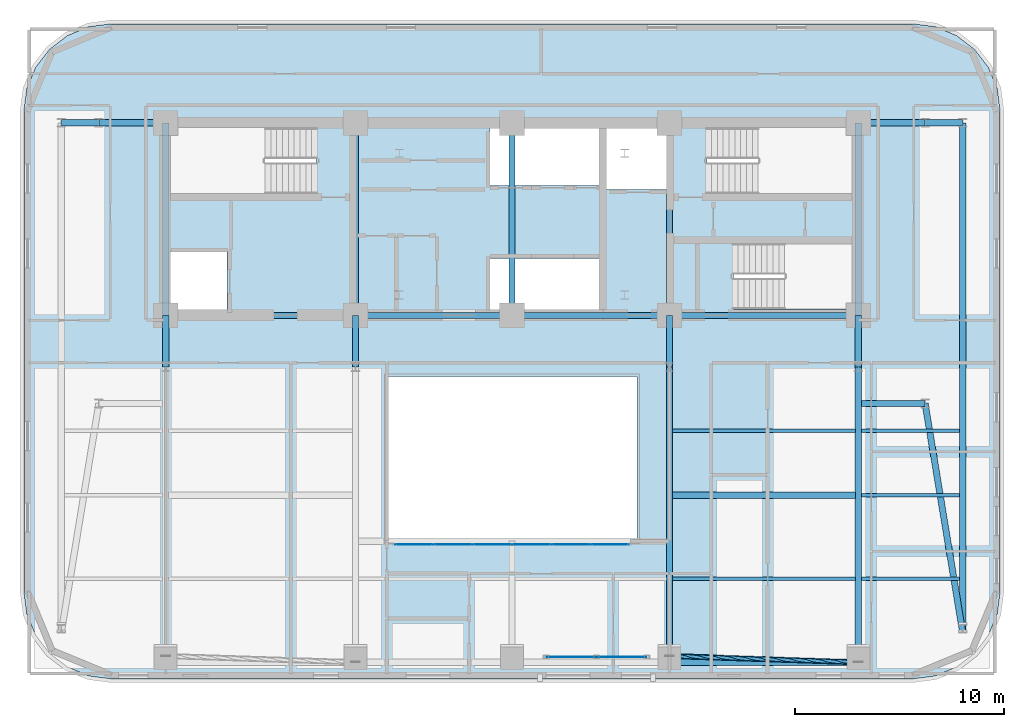
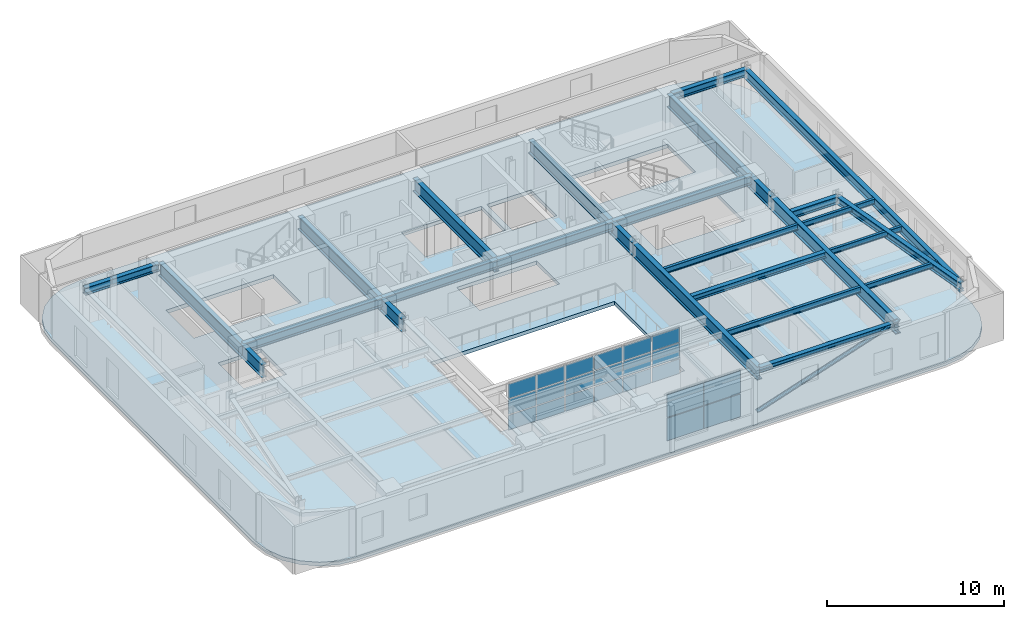
# One storey, part 3 of 13: 29 beams, 22 plates, 1 member, 1 slab, 2 elements without a shape of their own.
"""IFC4 building model written with IfcOpenShell, lengths in metres."""

import ifcopenshell
import ifcopenshell.guid

model = None  # the IFC model being written
_history = None  # IfcOwnerHistory: only IFC2X3 demands one
_inside = {}  # id of a spatial element -> (the spatial element, [elements in it])
_under = {}  # id of a project, library or spatial element -> (it, [spatial elements below it])
_declared = {}  # id of a project -> (the project, [libraries it declares])
_typed = {}  # id of a type object -> (the type object, [elements of that type])
_made_of = {}  # id of a material, layer set ... -> (it, [elements and type objects made of it])


def new_model(schema):
    """Start an empty IFC model of exactly this schema.

    Asked for "IFC4X3", IfcOpenShell would pick the latest addendum, in which some entities
    have other attributes; the version numbers below select the first issue.
    IFC2X3 requires an IfcOwnerHistory on every rooted entity: one is made here for all.
    """
    global model, _history
    if schema == "IFC4X3":
        model = ifcopenshell.file(schema_version=(4, 3, 0, 0))
    else:
        model = ifcopenshell.file(schema=schema)
    _inside.clear()
    _under.clear()
    _declared.clear()
    _typed.clear()
    _made_of.clear()
    _history = None
    if model.schema == "IFC2X3":
        org = make("IfcOrganization", Name="unknown")
        user = make(
            "IfcPersonAndOrganization",
            ThePerson=make("IfcPerson", FamilyName="unknown"),
            TheOrganization=org,
        )
        app = make(
            "IfcApplication",
            ApplicationDeveloper=org,
            Version="unknown",
            ApplicationFullName="unknown",
            ApplicationIdentifier="unknown",
        )
        _history = make(
            "IfcOwnerHistory",
            OwningUser=user,
            OwningApplication=app,
            ChangeAction="ADDED",
            CreationDate=0,
        )
    return model


def make(cls, **values):
    """One entity of the class cls with the attributes given. An attribute that is None is left unset."""
    return model.create_entity(
        cls, **{name: value for name, value in values.items() if value is not None}
    )


def rooted(cls, **values):
    """An entity with a GlobalId (a new one), such as an element, a storey or a relation."""
    return make(cls, GlobalId=ifcopenshell.guid.new(), OwnerHistory=_history, **values)


def si_unit(unit_type, name, prefix=None):
    """IfcSIUnit, for example si_unit("LENGTHUNIT", "METRE", prefix="MILLI")."""
    return make("IfcSIUnit", UnitType=unit_type, Prefix=prefix, Name=name)


def assignment(units):
    """IfcUnitAssignment: the units of a project."""
    return None if units is None else make("IfcUnitAssignment", Units=units)


def point(xyz):
    """IfcCartesianPoint."""
    return None if xyz is None else make("IfcCartesianPoint", Coordinates=xyz)


def direction(xyz):
    """IfcDirection."""
    return None if xyz is None else make("IfcDirection", DirectionRatios=xyz)


def frame(location, z_axis=None, x_axis=None):
    """IfcAxis2Placement3D, a coordinate frame: its origin and axes. An axis left out is left unset."""
    return make(
        "IfcAxis2Placement3D",
        Location=point(location),
        Axis=direction(z_axis),
        RefDirection=direction(x_axis),
    )


def frame_2d(location, x_axis=None):
    """IfcAxis2Placement2D, a coordinate frame in the plane: its origin and x axis."""
    return make(
        "IfcAxis2Placement2D", Location=point(location), RefDirection=direction(x_axis)
    )


def origin():
    """The frame at (0, 0, 0) with its axes left unset."""
    return frame((0.0, 0.0, 0.0))


def origin_2d():
    """The frame at (0, 0) in the plane with its x axis left unset."""
    return frame_2d((0.0, 0.0))


def place(relative_to, where):
    """IfcLocalPlacement: puts the frame where relative to a parent placement (None: the world)."""
    return make(
        "IfcLocalPlacement", PlacementRelTo=relative_to, RelativePlacement=where
    )


def context(
    kind, dimensions, precision=None, world=None, true_north=None, identifier=None
):
    """IfcGeometricRepresentationContext, for example the 3D "Model" context."""
    return make(
        "IfcGeometricRepresentationContext",
        ContextIdentifier=identifier,
        ContextType=kind,
        CoordinateSpaceDimension=dimensions,
        Precision=precision,
        WorldCoordinateSystem=world,
        TrueNorth=true_north,
    )


def subcontext(parent, identifier, kind, view, scale=None):
    """IfcGeometricRepresentationSubContext, for example "Body" below "Model"."""
    return make(
        "IfcGeometricRepresentationSubContext",
        ContextIdentifier=identifier,
        ContextType=kind,
        ParentContext=parent,
        TargetScale=scale,
        TargetView=view,
    )


def project(units=None, contexts=None):
    """IfcProject with its units and contexts."""
    return rooted(
        "IfcProject",
        Name="project",
        RepresentationContexts=contexts,
        UnitsInContext=assignment(units),
    )


def spatial(cls, under=None, at=None, **own):
    """A site, building, storey or space (cls), placed at a placement, below another one or the project."""
    s = rooted(cls, ObjectPlacement=at, **own)
    if under is not None:
        _under.setdefault(under.id(), (under, []))[1].append(s)
    return s


def polyline(points):
    """IfcPolyline through the points."""
    return make("IfcPolyline", Points=[point(p) for p in points])


def profile(cls, at=None, kind="AREA", **sizes):
    """A parametric profile (cls). Its sizes go by their IFC names, for example OverallWidth=200.0."""
    return make(cls, ProfileType=kind, Position=at, **sizes)


def rectangle(**sizes):
    """IfcRectangleProfileDef."""
    return profile("IfcRectangleProfileDef", **sizes)


def hollow_circle(**sizes):
    """IfcCircleHollowProfileDef."""
    return profile("IfcCircleHollowProfileDef", **sizes)


def i_section(**sizes):
    """IfcIShapeProfileDef."""
    return profile("IfcIShapeProfileDef", **sizes)


def outline(outer, holes=None, kind="AREA"):
    """IfcArbitraryClosedProfileDef: a profile drawn as a closed curve; with holes, ...WithVoids."""
    if holes is None:
        return make("IfcArbitraryClosedProfileDef", ProfileType=kind, OuterCurve=outer)
    return make(
        "IfcArbitraryProfileDefWithVoids",
        ProfileType=kind,
        OuterCurve=outer,
        InnerCurves=holes,
    )


def extrude(swept, where, along, depth):
    """IfcExtrudedAreaSolid: the profile swept, set in the frame where, extruded along a direction by depth."""
    return make(
        "IfcExtrudedAreaSolid",
        SweptArea=swept,
        Position=where,
        ExtrudedDirection=direction(along),
        Depth=depth,
    )


def shape(context_of_items, identifier, shape_type, items):
    """IfcShapeRepresentation: the items that make up one representation, for example the "Body"."""
    return make(
        "IfcShapeRepresentation",
        ContextOfItems=context_of_items,
        RepresentationIdentifier=identifier,
        RepresentationType=shape_type,
        Items=items,
    )


def material(Name=None, Category=None):
    """IfcMaterial."""
    return make("IfcMaterial", Name=Name, Category=Category)


def layer(
    of_material, thickness, ventilated=None, Name=None, Category=None, Priority=None
):
    """IfcMaterialLayer: one layer of a wall or slab, of a material (None: an air gap)."""
    return make(
        "IfcMaterialLayer",
        Material=of_material,
        LayerThickness=thickness,
        IsVentilated=ventilated,
        Name=Name,
        Category=Category,
        Priority=Priority,
    )


def layer_set(layers, Name=None):
    """IfcMaterialLayerSet."""
    return make("IfcMaterialLayerSet", MaterialLayers=layers, LayerSetName=Name)


def material_profile(
    of_material, cross_section, Name=None, Category=None, Priority=None
):
    """IfcMaterialProfile: a cross section and its material."""
    return make(
        "IfcMaterialProfile",
        Name=Name,
        Material=of_material,
        Profile=cross_section,
        Priority=Priority,
        Category=Category,
    )


def profile_set(profiles, Name=None, composite=None):
    """IfcMaterialProfileSet."""
    return make(
        "IfcMaterialProfileSet",
        Name=Name,
        MaterialProfiles=profiles,
        CompositeProfile=composite,
    )


def made_of(thing, what):
    """Note that an element or type object is made of a material, layer set ...; save() writes the relation."""
    if what is not None:
        _made_of.setdefault(what.id(), (what, []))[1].append(thing)
    return thing


def type_object(cls, material=None, **own):
    """A type object (cls), such as IfcWallType, which elements share."""
    return made_of(rooted(cls, **own), material)


def element(
    cls,
    number,
    at=None,
    inside=None,
    cuts=None,
    type_object=None,
    material=None,
    context=None,
    identifier="Body",
    shape_type=None,
    held_by="IfcProductDefinitionShape",
    body=None,
    shapes=None,
    **own,
):
    """One element of the class cls, such as IfcWall. Its Tag is "e" and its number.

    at: its placement. inside: the storey or other place that contains it. cuts: it is an
    opening in that element (IfcRelVoidsElement). A single representation is given by context,
    identifier, shape_type and body (its items); several are given by shapes. held_by: the class
    of the entity that holds the representations. save() writes the other relations.
    """
    e = rooted(cls, Tag="e%d" % number, ObjectPlacement=at, **own)
    if body is not None:
        shapes = [shape(context, identifier, shape_type, body)]
    if shapes is not None:
        e.Representation = make(held_by, Representations=shapes)
    if inside is not None:
        _inside.setdefault(inside.id(), (inside, []))[1].append(e)
    if cuts is not None:
        rooted(
            "IfcRelVoidsElement", RelatingBuildingElement=cuts, RelatedOpeningElement=e
        )
    if type_object is not None:
        _typed.setdefault(type_object.id(), (type_object, []))[1].append(e)
    return made_of(e, material)


def aggregate(whole, parts):
    """IfcRelAggregates: a whole, such as a stair, and the parts it consists of."""
    return rooted("IfcRelAggregates", RelatingObject=whole, RelatedObjects=parts)


def save(model, path):
    """Write the relations noted so far, then the file.

    IfcRelAggregates (storeys below a building ...), IfcRelContainedInSpatialStructure (elements
    in a storey), IfcRelDefinesByType, IfcRelAssociatesMaterial and IfcRelDeclares: one each for
    every whole, place, type object, material and project.
    """
    for whole, parts in _under.values():
        aggregate(whole, parts)
    for where, things in _inside.values():
        rooted(
            "IfcRelContainedInSpatialStructure",
            RelatedElements=things,
            RelatingStructure=where,
        )
    for kind, things in _typed.values():
        rooted("IfcRelDefinesByType", RelatedObjects=things, RelatingType=kind)
    for what, things in _made_of.values():
        rooted("IfcRelAssociatesMaterial", RelatedObjects=things, RelatingMaterial=what)
    for by, libraries in _declared.values():
        rooted("IfcRelDeclares", RelatingContext=by, RelatedDefinitions=libraries)
    model.write(path)


model = new_model("IFC4")

# Units and contexts
model_context = context("Model", 3, precision=1e-05, world=origin(), true_north=direction((0.0, 1.0)))
body_context = subcontext(model_context, "Body", "Model", "MODEL_VIEW")
ifc_project = project(units=[si_unit("LENGTHUNIT", "METRE"), si_unit("AREAUNIT", "SQUARE_METRE"), si_unit("VOLUMEUNIT", "CUBIC_METRE"), si_unit("PLANEANGLEUNIT", "RADIAN"), si_unit("MASSUNIT", "GRAM", prefix="KILO")], contexts=[model_context])

# Site, building, storey
site_placement = place(None, origin())
site = spatial("IfcSite", under=ifc_project, at=site_placement, CompositionType="ELEMENT")
building_placement = place(site_placement, origin())
building = spatial("IfcBuilding", under=site, at=building_placement, Name="Zarnavel Station Tower", CompositionType="ELEMENT")
storey_placement = place(building_placement, frame((0.0, 0.0, 162.550048828125)))
storey = spatial("IfcBuildingStorey", under=building, at=storey_placement, Name="L44", CompositionType="ELEMENT", Elevation=162.550048828125)

# Member
ifc_material_1 = material(Name="Steel S355J2", Category="steel")
ifc_material_profile_1 = material_profile(ifc_material_1, hollow_circle(Radius=0.122314453125, WallThickness=0.010009765625, at=origin_2d()), Name="CHS244.5x10")
ifc_profile_set_1 = profile_set([ifc_material_profile_1], Name="Steel S355J2")
member_type = type_object("IfcMemberType", Name="DB_EXT_CHS245", PredefinedType="BRACE", material=ifc_profile_set_1)
member_placement = place(storey_placement, frame((36.35009765625, 11.497802734375, 0.0), z_axis=(0.939370056938, -0.030942344867, 0.341506174795), x_axis=(0.032921607344, 0.999457936969, 0.0)))
element("IfcMember", 1, at=member_placement, inside=storey, type_object=member_type, Name="L44 Persian Exterior Diagonal Frame Brace 2", PredefinedType="BRACE", context=body_context, shape_type="SweptSolid", body=[
    extrude(hollow_circle(Radius=0.122314453125, WallThickness=0.010009765625, at=origin_2d()), origin(), (0.0, 0.0, 1.0), 9.6337890625),
])

# Beams
ifc_material_2 = material(Name="Steel S355J2", Category="steel")
ifc_material_profile_2 = material_profile(ifc_material_2, i_section(OverallWidth=0.300048828125, OverallDepth=0.360107421875, WebThickness=0.012451171875, FlangeThickness=0.0224609375, FilletRadius=0.027099609375, at=origin_2d()), Name="HEB360")
ifc_profile_set_2 = profile_set([ifc_material_profile_2], Name="Steel S355J2")
beam_type_1 = type_object("IfcBeamType", Name="EB_HEB360", PredefinedType="SPANDREL", material=ifc_profile_set_2)
beam_1_placement = place(storey_placement, frame((36.35009765625, 11.19970703125, 3.10986328125), z_axis=(1.0, 0.0, 0.0), x_axis=(0.0, 1.0, 0.0)))
element("IfcBeam", 2, at=beam_1_placement, inside=storey, type_object=beam_type_1, Name="L44 South Raked Spandrel 4", PredefinedType="SPANDREL", context=body_context, shape_type="SweptSolid", body=[
    extrude(i_section(OverallWidth=0.300048828125, OverallDepth=0.360107421875, WebThickness=0.012451171875, FlangeThickness=0.0224609375, FilletRadius=0.027099609375, at=origin_2d()), origin(), (0.0, 0.0, 1.0), 9.0498046875),
])
ifc_material_3 = material(Name="Steel S355J2", Category="steel")
ifc_material_profile_3 = material_profile(ifc_material_3, i_section(OverallWidth=0.300048828125, OverallDepth=0.389892578125, WebThickness=0.010986328125, FlangeThickness=0.01904296875, FilletRadius=0.027099609375, at=origin_2d()), Name="HEA400")
ifc_profile_set_3 = profile_set([ifc_material_profile_3], Name="Steel S355J2")
beam_type_2 = type_object("IfcBeamType", Name="FB_HEA400", PredefinedType="BEAM", material=ifc_profile_set_3)
beam_2_placement = place(storey_placement, frame((36.4951171875, 19.19970703125, 3.094970703125), z_axis=(1.0, 0.0, 0.0), x_axis=(0.0, 1.0, 0.0)))
element("IfcBeam", 3, at=beam_2_placement, inside=storey, type_object=beam_type_2, Name="L44 East Bay Beam 2", PredefinedType="BEAM", context=body_context, shape_type="SweptSolid", body=[
    extrude(i_section(OverallWidth=0.300048828125, OverallDepth=0.389892578125, WebThickness=0.010986328125, FlangeThickness=0.01904296875, FilletRadius=0.027099609375, at=origin_2d()), origin(), (0.0, 0.0, 1.0), 8.759765625),
])
ifc_material_4 = material(Name="Steel S355J2", Category="steel")
ifc_material_profile_4 = material_profile(ifc_material_4, i_section(OverallWidth=0.179931640625, OverallDepth=0.39990234375, WebThickness=0.008544921875, FlangeThickness=0.013427734375, FilletRadius=0.02099609375, at=origin_2d()), Name="IPE400")
ifc_profile_set_4 = profile_set([ifc_material_profile_4], Name="Steel S355J2")
beam_type_3 = type_object("IfcBeamType", Name="FB_IPE400", PredefinedType="BEAM", material=ifc_profile_set_4)
for number, where, z_axis, x_axis, name in (
    (4, (36.4951171875, 15.19970703125, 3.08984375), (1.0, 0.0, 0.0), (0.0, 1.0, 0.0), "L44 East Bay Beam 1"),
    (5, (36.4951171875, 22.2998046875, 3.08984375), (1.0, 0.0, 0.0), (0.0, 1.0, 0.0), "L44 East Bay Beam 3"),
):
    element("IfcBeam", number, at=place(storey_placement, frame(where, z_axis=z_axis, x_axis=x_axis)), inside=storey, type_object=beam_type_3, Name=name, PredefinedType="BEAM", context=body_context, shape_type="SweptSolid", body=[
        extrude(i_section(OverallWidth=0.179931640625, OverallDepth=0.39990234375, WebThickness=0.008544921875, FlangeThickness=0.013427734375, FilletRadius=0.02099609375, at=origin_2d()), origin(), (0.0, 0.0, 1.0), 8.759765625),
    ])
ifc_material_5 = material(Name="Steel S355J2", Category="steel")
ifc_material_profile_5 = material_profile(ifc_material_5, i_section(OverallWidth=0.300048828125, OverallDepth=0.5, WebThickness=0.014404296875, FlangeThickness=0.028076171875, FilletRadius=0.027099609375, at=origin_2d()), Name="HEB500")
ifc_profile_set_5 = profile_set([ifc_material_profile_5], Name="Steel S355J2")
beam_type_4 = type_object("IfcBeamType", Name="FG_HEB500", PredefinedType="USERDEFINED", material=ifc_profile_set_5)
beam_3_placement = place(storey_placement, frame((7.199951171875, 37.050048828125, 3.0400390625), z_axis=(1.0, 0.0, 0.0), x_axis=(0.0, 1.0, 0.0)))
element("IfcBeam", 6, at=beam_3_placement, inside=storey, type_object=beam_type_4, Name="L44 West Wing North Tie 1", ObjectType="GIRDER", PredefinedType="USERDEFINED", context=body_context, shape_type="SweptSolid", body=[
    extrude(i_section(OverallWidth=0.300048828125, OverallDepth=0.5, WebThickness=0.014404296875, FlangeThickness=0.028076171875, FilletRadius=0.027099609375, at=origin_2d()), origin(), (0.0, 0.0, 1.0), 1.800048828125),
])
beam_4_placement = place(storey_placement, frame((9.0, 37.050048828125, 3.0400390625), z_axis=(1.0, 0.0, 0.0), x_axis=(0.0, 1.0, 0.0)))
element("IfcBeam", 7, at=beam_4_placement, inside=storey, type_object=beam_type_4, Name="L44 West Wing North Tie 2", ObjectType="GIRDER", PredefinedType="USERDEFINED", context=body_context, shape_type="SweptSolid", body=[
    extrude(i_section(OverallWidth=0.300048828125, OverallDepth=0.5, WebThickness=0.014404296875, FlangeThickness=0.028076171875, FilletRadius=0.027099609375, at=origin_2d()), origin(), (0.0, 0.0, 1.0), 3.054931640625),
])
for number, where, z_axis, x_axis, name in (
    (8, (45.544921875, 23.60009765625, 3.0400390625), (1.0, 0.0, 0.0), (0.0, 1.0, 0.0), "L44 East Wing South Tie 1"),
    (9, (45.544921875, 37.050048828125, 3.0400390625), (1.0, 0.0, 0.0), (0.0, 1.0, 0.0), "L44 East Wing North Tie 1"),
):
    element("IfcBeam", number, at=place(storey_placement, frame(where, z_axis=z_axis, x_axis=x_axis)), inside=storey, type_object=beam_type_4, Name=name, ObjectType="GIRDER", PredefinedType="USERDEFINED", context=body_context, shape_type="SweptSolid", body=[
        extrude(i_section(OverallWidth=0.300048828125, OverallDepth=0.5, WebThickness=0.014404296875, FlangeThickness=0.028076171875, FilletRadius=0.027099609375, at=origin_2d()), origin(), (0.0, 0.0, 1.0), 3.05517578125),
    ])
beam_5_placement = place(storey_placement, frame((48.60009765625, 23.60009765625, 3.0400390625), z_axis=(0.161933529878, -0.986801667966, 0.0), x_axis=(0.986801667966, 0.161933529878, 0.0)))
element("IfcBeam", 10, at=beam_5_placement, inside=storey, type_object=beam_type_4, Name="L44 East Wing South Tie 2", ObjectType="GIRDER", PredefinedType="USERDEFINED", context=body_context, shape_type="SweptSolid", body=[
    extrude(i_section(OverallWidth=0.300048828125, OverallDepth=0.5, WebThickness=0.014404296875, FlangeThickness=0.028076171875, FilletRadius=0.027099609375, at=origin_2d()), origin(), (0.0, 0.0, 1.0), 11.114501953125),
])
beam_6_placement = place(storey_placement, frame((48.60009765625, 37.050048828125, 3.0400390625), z_axis=(1.0, 0.0, 0.0), x_axis=(0.0, 1.0, 0.0)))
element("IfcBeam", 11, at=beam_6_placement, inside=storey, type_object=beam_type_4, Name="L44 East Wing North Tie 2", ObjectType="GIRDER", PredefinedType="USERDEFINED", context=body_context, shape_type="SweptSolid", body=[
    extrude(i_section(OverallWidth=0.300048828125, OverallDepth=0.5, WebThickness=0.014404296875, FlangeThickness=0.028076171875, FilletRadius=0.027099609375, at=origin_2d()), origin(), (0.0, 0.0, 1.0), 1.7998046875),
])
ifc_material_6 = material(Name="Steel S355J2", Category="steel")
ifc_material_profile_6 = material_profile(ifc_material_6, i_section(OverallWidth=0.300048828125, OverallDepth=0.60009765625, WebThickness=0.015380859375, FlangeThickness=0.030029296875, FilletRadius=0.027099609375, at=origin_2d()), Name="HEB600")
ifc_profile_set_6 = profile_set([ifc_material_profile_6], Name="Steel S355J2")
beam_type_5 = type_object("IfcBeamType", Name="FG_HEB600", PredefinedType="USERDEFINED", material=ifc_profile_set_6)
beam_7_placement = place(storey_placement, frame((12.199951171875, 27.820068359375, 2.989990234375), z_axis=(1.0, 0.0, 0.0), x_axis=(0.0, 1.0, 0.0)))
element("IfcBeam", 12, at=beam_7_placement, inside=storey, type_object=beam_type_5, Name="L44 Core Front Coupling Beam 1", ObjectType="GIRDER", PredefinedType="USERDEFINED", context=body_context, shape_type="SweptSolid", body=[
    extrude(i_section(OverallWidth=0.300048828125, OverallDepth=0.60009765625, WebThickness=0.015380859375, FlangeThickness=0.030029296875, FilletRadius=0.027099609375, at=origin_2d()), origin(), (0.0, 0.0, 1.0), 9.10009765625),
])
beam_8_placement = place(storey_placement, frame((21.300048828125, 27.820068359375, 2.989990234375), z_axis=(1.0, 0.0, 0.0), x_axis=(0.0, 1.0, 0.0)))
element("IfcBeam", 13, at=beam_8_placement, inside=storey, type_object=beam_type_5, Name="L44 Core Front Coupling Beam 2", ObjectType="GIRDER", PredefinedType="USERDEFINED", context=body_context, shape_type="SweptSolid", body=[
    extrude(i_section(OverallWidth=0.300048828125, OverallDepth=0.60009765625, WebThickness=0.015380859375, FlangeThickness=0.030029296875, FilletRadius=0.027099609375, at=origin_2d()), origin(), (0.0, 0.0, 1.0), 7.5),
])
beam_9_placement = place(storey_placement, frame((28.800048828125, 27.820068359375, 2.989990234375), z_axis=(1.0, 0.0, 0.0), x_axis=(0.0, 1.0, 0.0)))
element("IfcBeam", 14, at=beam_9_placement, inside=storey, type_object=beam_type_5, Name="L44 Core Front Coupling Beam 3", ObjectType="GIRDER", PredefinedType="USERDEFINED", context=body_context, shape_type="SweptSolid", body=[
    extrude(i_section(OverallWidth=0.300048828125, OverallDepth=0.60009765625, WebThickness=0.015380859375, FlangeThickness=0.030029296875, FilletRadius=0.027099609375, at=origin_2d()), origin(), (0.0, 0.0, 1.0), 7.550048828125),
])
beam_10_placement = place(storey_placement, frame((36.35009765625, 27.820068359375, 2.989990234375), z_axis=(1.0, 0.0, 0.0), x_axis=(0.0, 1.0, 0.0)))
element("IfcBeam", 15, at=beam_10_placement, inside=storey, type_object=beam_type_5, Name="L44 Core Front Coupling Beam 4", ObjectType="GIRDER", PredefinedType="USERDEFINED", context=body_context, shape_type="SweptSolid", body=[
    extrude(i_section(OverallWidth=0.300048828125, OverallDepth=0.60009765625, WebThickness=0.015380859375, FlangeThickness=0.030029296875, FilletRadius=0.027099609375, at=origin_2d()), origin(), (0.0, 0.0, 1.0), 9.0498046875),
])
ifc_material_7 = material(Name="Steel S355J2", Category="steel")
ifc_material_profile_7 = material_profile(ifc_material_7, i_section(OverallWidth=0.300048828125, OverallDepth=0.64990234375, WebThickness=0.01611328125, FlangeThickness=0.031005859375, FilletRadius=0.027099609375, at=origin_2d()), Name="HEB650")
ifc_profile_set_7 = profile_set([ifc_material_profile_7], Name="Steel S355J2")
beam_type_6 = type_object("IfcBeamType", Name="FG_HEB650", PredefinedType="USERDEFINED", material=ifc_profile_set_7)
beam_11_placement = place(storey_placement, frame((50.39990234375, 12.63232421875, 2.96484375), z_axis=(0.0, 1.0, 0.0), x_axis=(-1.0, 0.0, 0.0)))
element("IfcBeam", 16, at=beam_11_placement, inside=storey, type_object=beam_type_6, Name="L44 Wing NS Girder 2", ObjectType="GIRDER", PredefinedType="USERDEFINED", context=body_context, shape_type="SweptSolid", body=[
    extrude(i_section(OverallWidth=0.300048828125, OverallDepth=0.64990234375, WebThickness=0.01611328125, FlangeThickness=0.031005859375, FilletRadius=0.027099609375, at=origin_2d()), origin(), (0.0, 0.0, 1.0), 24.417724609375),
])
ifc_material_8 = material(Name="Steel S355J2", Category="steel")
ifc_material_profile_8 = material_profile(ifc_material_8, i_section(OverallWidth=0.169921875, OverallDepth=0.360107421875, WebThickness=0.008056640625, FlangeThickness=0.0126953125, FilletRadius=0.01806640625, at=origin_2d()), Name="IPE360")
ifc_profile_set_8 = profile_set([ifc_material_profile_8], Name="Steel S355J2")
beam_type_7 = type_object("IfcBeamType", Name="FJ_IPE360", PredefinedType="JOIST", material=ifc_profile_set_8)
for number, where, z_axis, x_axis, name in (
    (17, (45.544921875, 15.19970703125, 3.10986328125), (1.0, 0.0, 0.0), (0.0, 1.0, 0.0), "L44 East Wing Joist 1"),
    (18, (45.544921875, 19.19970703125, 3.10986328125), (1.0, 0.0, 0.0), (0.0, 1.0, 0.0), "L44 East Wing Joist 2"),
    (19, (45.544921875, 22.2998046875, 3.10986328125), (1.0, 0.0, 0.0), (0.0, 1.0, 0.0), "L44 East Wing Joist 3"),
):
    element("IfcBeam", number, at=place(storey_placement, frame(where, z_axis=z_axis, x_axis=x_axis)), inside=storey, type_object=beam_type_7, Name=name, PredefinedType="JOIST", context=body_context, shape_type="SweptSolid", body=[
        extrude(i_section(OverallWidth=0.169921875, OverallDepth=0.360107421875, WebThickness=0.008056640625, FlangeThickness=0.0126953125, FilletRadius=0.01806640625, at=origin_2d()), origin(), (0.0, 0.0, 1.0), 4.7099609375),
    ])
ifc_material_9 = material(Name="Steel S460M", Category="steel")
ifc_material_profile_9 = material_profile(ifc_material_9, i_section(OverallWidth=0.302001953125, OverallDepth=0.909912109375, WebThickness=0.02099609375, FlangeThickness=0.0400390625, FilletRadius=0.030029296875, at=origin_2d()), Name="HEM900")
ifc_profile_set_9 = profile_set([ifc_material_profile_9], Name="Steel S460M")
beam_type_8 = type_object("IfcBeamType", Name="TG_HEM900", PredefinedType="USERDEFINED", material=ifc_profile_set_9)
for number, where, z_axis, x_axis, name in (
    (20, (12.199951171875, 27.820068359375, 2.8349609375), (0.0, 1.0, 0.0), (-1.0, 0.0, 0.0), "L44 Core Spine Coupling Girder 1"),
    (21, (21.300048828125, 27.820068359375, 2.8349609375), (0.0, 1.0, 0.0), (-1.0, 0.0, 0.0), "L44 Core Spine Coupling Girder 2"),
    (22, (28.800048828125, 27.820068359375, 2.8349609375), (0.0, 1.0, 0.0), (-1.0, 0.0, 0.0), "L44 Core Spine Coupling Girder 3"),
    (23, (36.35009765625, 27.820068359375, 2.8349609375), (0.0, 1.0, 0.0), (-1.0, 0.0, 0.0), "L44 Core Spine Coupling Girder 4"),
    (24, (45.39990234375, 27.820068359375, 2.8349609375), (0.0, 1.0, 0.0), (-1.0, 0.0, 0.0), "L44 Core Spine Coupling Girder 5"),
):
    element("IfcBeam", number, at=place(storey_placement, frame(where, z_axis=z_axis, x_axis=x_axis)), inside=storey, type_object=beam_type_8, Name=name, ObjectType="GIRDER", PredefinedType="USERDEFINED", context=body_context, shape_type="SweptSolid", body=[
        extrude(i_section(OverallWidth=0.302001953125, OverallDepth=0.909912109375, WebThickness=0.02099609375, FlangeThickness=0.0400390625, FilletRadius=0.030029296875, at=origin_2d()), origin(), (0.0, 0.0, 1.0), 9.22998046875),
    ])
for number, where, z_axis, x_axis, name in (
    (25, (12.199951171875, 25.35009765625, 2.8349609375), (0.0, 1.0, 0.0), (-1.0, 0.0, 0.0), "L44 Inner-Zone NS Girder 1"),
    (26, (21.300048828125, 25.35009765625, 2.8349609375), (0.0, 1.0, 0.0), (-1.0, 0.0, 0.0), "L44 Inner-Zone NS Girder 2"),
):
    element("IfcBeam", number, at=place(storey_placement, frame(where, z_axis=z_axis, x_axis=x_axis)), inside=storey, type_object=beam_type_8, Name=name, ObjectType="GIRDER", PredefinedType="USERDEFINED", context=body_context, shape_type="SweptSolid", body=[
        extrude(i_section(OverallWidth=0.302001953125, OverallDepth=0.909912109375, WebThickness=0.02099609375, FlangeThickness=0.0400390625, FilletRadius=0.030029296875, at=origin_2d()), origin(), (0.0, 0.0, 1.0), 2.469970703125),
    ])
beam_12_placement = place(storey_placement, frame((36.35009765625, 11.19970703125, 2.8349609375), z_axis=(0.0, 1.0, 0.0), x_axis=(-1.0, 0.0, 0.0)))
element("IfcBeam", 27, at=beam_12_placement, inside=storey, type_object=beam_type_8, Name="L44 South-Zone NS Girder 4", ObjectType="GIRDER", PredefinedType="USERDEFINED", context=body_context, shape_type="SweptSolid", body=[
    extrude(i_section(OverallWidth=0.302001953125, OverallDepth=0.909912109375, WebThickness=0.02099609375, FlangeThickness=0.0400390625, FilletRadius=0.030029296875, at=origin_2d()), origin(), (0.0, 0.0, 1.0), 14.150390625),
])
beam_13_placement = place(storey_placement, frame((36.35009765625, 25.35009765625, 2.8349609375), z_axis=(0.0, 1.0, 0.0), x_axis=(-1.0, 0.0, 0.0)))
element("IfcBeam", 28, at=beam_13_placement, inside=storey, type_object=beam_type_8, Name="L44 Inner-Zone NS Girder 4", ObjectType="GIRDER", PredefinedType="USERDEFINED", context=body_context, shape_type="SweptSolid", body=[
    extrude(i_section(OverallWidth=0.302001953125, OverallDepth=0.909912109375, WebThickness=0.02099609375, FlangeThickness=0.0400390625, FilletRadius=0.030029296875, at=origin_2d()), origin(), (0.0, 0.0, 1.0), 2.469970703125),
])
beam_14_placement = place(storey_placement, frame((45.39990234375, 11.19970703125, 2.8349609375), z_axis=(0.0, 1.0, 0.0), x_axis=(-1.0, 0.0, 0.0)))
element("IfcBeam", 29, at=beam_14_placement, inside=storey, type_object=beam_type_8, Name="L44 South-Zone NS Girder 5", ObjectType="GIRDER", PredefinedType="USERDEFINED", context=body_context, shape_type="SweptSolid", body=[
    extrude(i_section(OverallWidth=0.302001953125, OverallDepth=0.909912109375, WebThickness=0.02099609375, FlangeThickness=0.0400390625, FilletRadius=0.030029296875, at=origin_2d()), origin(), (0.0, 0.0, 1.0), 14.150390625),
])
beam_15_placement = place(storey_placement, frame((45.39990234375, 25.35009765625, 2.8349609375), z_axis=(0.0, 1.0, 0.0), x_axis=(-1.0, 0.0, 0.0)))
element("IfcBeam", 30, at=beam_15_placement, inside=storey, type_object=beam_type_8, Name="L44 Inner-Zone NS Girder 5", ObjectType="GIRDER", PredefinedType="USERDEFINED", context=body_context, shape_type="SweptSolid", body=[
    extrude(i_section(OverallWidth=0.302001953125, OverallDepth=0.909912109375, WebThickness=0.02099609375, FlangeThickness=0.0400390625, FilletRadius=0.030029296875, at=origin_2d()), origin(), (0.0, 0.0, 1.0), 2.469970703125),
])

# Curtain wall, plates
ifc_material_10 = material(Name="Aluminium Dark Anodised and Solar-Control Glass", Category="aluminium")
ifc_layer_1 = layer(ifc_material_10, 0.179931640625)
ifc_layer_set_1 = layer_set([ifc_layer_1], Name="CWS4")
curtain_wall_type_1 = type_object("IfcCurtainWallType", Name="CWS4", PredefinedType="NOTDEFINED", material=ifc_layer_set_1)
curtain_wall_1_placement = place(storey_placement, origin())
curtain_wall_1 = element("IfcCurtainWall", 31, at=curtain_wall_1_placement, inside=storey, type_object=curtain_wall_type_1, Name="L44 Curtain Wall CWS4-L44-AS", PredefinedType="NOTDEFINED")
ifc_material_11 = material(Name="Double Low-E Dark Solar-Control Glass", Category="glass")
ifc_layer_2 = layer(ifc_material_11, 0.031982421875)
ifc_layer_set_2 = layer_set([ifc_layer_2], Name="CWS4_PNL")
plate_type_1 = type_object("IfcPlateType", Name="CWS4_PNL", PredefinedType="CURTAIN_PANEL", material=ifc_layer_set_2)
plate_1_placement = place(storey_placement, frame((24.106689453125, 16.85009765625, 0.06005859375), z_axis=(0.0, 0.0, 1.0), x_axis=(1.0, 0.0, 0.0)))
plate_1 = element("IfcPlate", 32, at=plate_1_placement, type_object=plate_type_1, Name="CW4 panel 1.1", PredefinedType="CURTAIN_PANEL", context=body_context, shape_type="SweptSolid", body=[
    extrude(rectangle(XDim=1.793212890625, YDim=0.028076171875, at=origin_2d()), origin(), (0.0, 0.0, 1.0), 1.006591796875),
])
plate_2_placement = place(storey_placement, frame((24.106689453125, 16.85009765625, 1.126708984375), z_axis=(0.0, 0.0, 1.0), x_axis=(1.0, 0.0, 0.0)))
plate_2 = element("IfcPlate", 33, at=plate_2_placement, type_object=plate_type_1, Name="CW4 panel 1.2", PredefinedType="CURTAIN_PANEL", context=body_context, shape_type="SweptSolid", body=[
    extrude(rectangle(XDim=1.793212890625, YDim=0.028076171875, at=origin_2d()), origin(), (0.0, 0.0, 1.0), 1.03662109375),
])
plate_3_placement = place(storey_placement, frame((24.106689453125, 16.85009765625, 2.22314453125), z_axis=(0.0, 0.0, 1.0), x_axis=(1.0, 0.0, 0.0)))
plate_3 = element("IfcPlate", 34, at=plate_3_placement, type_object=plate_type_1, Name="CW4 panel 1.3", PredefinedType="CURTAIN_PANEL", context=body_context, shape_type="SweptSolid", body=[
    extrude(rectangle(XDim=1.793212890625, YDim=0.028076171875, at=origin_2d()), origin(), (0.0, 0.0, 1.0), 1.006591796875),
])
plate_4_placement = place(storey_placement, frame((25.97509765625, 16.85009765625, 0.06005859375), z_axis=(0.0, 0.0, 1.0), x_axis=(1.0, 0.0, 0.0)))
plate_4 = element("IfcPlate", 35, at=plate_4_placement, type_object=plate_type_1, Name="CW4 panel 2.1", PredefinedType="CURTAIN_PANEL", context=body_context, shape_type="SweptSolid", body=[
    extrude(rectangle(XDim=1.8232421875, YDim=0.028076171875, at=origin_2d()), origin(), (0.0, 0.0, 1.0), 1.006591796875),
])
plate_5_placement = place(storey_placement, frame((25.97509765625, 16.85009765625, 1.126708984375), z_axis=(0.0, 0.0, 1.0), x_axis=(1.0, 0.0, 0.0)))
plate_5 = element("IfcPlate", 36, at=plate_5_placement, type_object=plate_type_1, Name="CW4 panel 2.2", PredefinedType="CURTAIN_PANEL", context=body_context, shape_type="SweptSolid", body=[
    extrude(rectangle(XDim=1.8232421875, YDim=0.028076171875, at=origin_2d()), origin(), (0.0, 0.0, 1.0), 1.03662109375),
])
plate_6_placement = place(storey_placement, frame((25.97509765625, 16.85009765625, 2.22314453125), z_axis=(0.0, 0.0, 1.0), x_axis=(1.0, 0.0, 0.0)))
plate_6 = element("IfcPlate", 37, at=plate_6_placement, type_object=plate_type_1, Name="CW4 panel 2.3", PredefinedType="CURTAIN_PANEL", context=body_context, shape_type="SweptSolid", body=[
    extrude(rectangle(XDim=1.8232421875, YDim=0.028076171875, at=origin_2d()), origin(), (0.0, 0.0, 1.0), 1.006591796875),
])
plate_7_placement = place(storey_placement, frame((27.8583984375, 16.85009765625, 0.06005859375), z_axis=(0.0, 0.0, 1.0), x_axis=(1.0, 0.0, 0.0)))
plate_7 = element("IfcPlate", 38, at=plate_7_placement, type_object=plate_type_1, Name="CW4 panel 3.1", PredefinedType="CURTAIN_PANEL", context=body_context, shape_type="SweptSolid", body=[
    extrude(rectangle(XDim=1.8232421875, YDim=0.028076171875, at=origin_2d()), origin(), (0.0, 0.0, 1.0), 1.006591796875),
])
plate_8_placement = place(storey_placement, frame((27.8583984375, 16.85009765625, 1.126708984375), z_axis=(0.0, 0.0, 1.0), x_axis=(1.0, 0.0, 0.0)))
plate_8 = element("IfcPlate", 39, at=plate_8_placement, type_object=plate_type_1, Name="CW4 panel 3.2", PredefinedType="CURTAIN_PANEL", context=body_context, shape_type="SweptSolid", body=[
    extrude(rectangle(XDim=1.8232421875, YDim=0.028076171875, at=origin_2d()), origin(), (0.0, 0.0, 1.0), 1.03662109375),
])
plate_9_placement = place(storey_placement, frame((27.8583984375, 16.85009765625, 2.22314453125), z_axis=(0.0, 0.0, 1.0), x_axis=(1.0, 0.0, 0.0)))
plate_9 = element("IfcPlate", 40, at=plate_9_placement, type_object=plate_type_1, Name="CW4 panel 3.3", PredefinedType="CURTAIN_PANEL", context=body_context, shape_type="SweptSolid", body=[
    extrude(rectangle(XDim=1.8232421875, YDim=0.028076171875, at=origin_2d()), origin(), (0.0, 0.0, 1.0), 1.006591796875),
])
plate_10_placement = place(storey_placement, frame((29.74169921875, 16.85009765625, 0.06005859375), z_axis=(0.0, 0.0, 1.0), x_axis=(1.0, 0.0, 0.0)))
plate_10 = element("IfcPlate", 41, at=plate_10_placement, type_object=plate_type_1, Name="CW4 panel 4.1", PredefinedType="CURTAIN_PANEL", context=body_context, shape_type="SweptSolid", body=[
    extrude(rectangle(XDim=1.8232421875, YDim=0.028076171875, at=origin_2d()), origin(), (0.0, 0.0, 1.0), 1.006591796875),
])
plate_11_placement = place(storey_placement, frame((29.74169921875, 16.85009765625, 1.126708984375), z_axis=(0.0, 0.0, 1.0), x_axis=(1.0, 0.0, 0.0)))
plate_11 = element("IfcPlate", 42, at=plate_11_placement, type_object=plate_type_1, Name="CW4 panel 4.2", PredefinedType="CURTAIN_PANEL", context=body_context, shape_type="SweptSolid", body=[
    extrude(rectangle(XDim=1.8232421875, YDim=0.028076171875, at=origin_2d()), origin(), (0.0, 0.0, 1.0), 1.03662109375),
])
plate_12_placement = place(storey_placement, frame((29.74169921875, 16.85009765625, 2.22314453125), z_axis=(0.0, 0.0, 1.0), x_axis=(1.0, 0.0, 0.0)))
plate_12 = element("IfcPlate", 43, at=plate_12_placement, type_object=plate_type_1, Name="CW4 panel 4.3", PredefinedType="CURTAIN_PANEL", context=body_context, shape_type="SweptSolid", body=[
    extrude(rectangle(XDim=1.8232421875, YDim=0.028076171875, at=origin_2d()), origin(), (0.0, 0.0, 1.0), 1.006591796875),
])
plate_13_placement = place(storey_placement, frame((31.625, 16.85009765625, 0.06005859375), z_axis=(0.0, 0.0, 1.0), x_axis=(1.0, 0.0, 0.0)))
plate_13 = element("IfcPlate", 44, at=plate_13_placement, type_object=plate_type_1, Name="CW4 panel 5.1", PredefinedType="CURTAIN_PANEL", context=body_context, shape_type="SweptSolid", body=[
    extrude(rectangle(XDim=1.8232421875, YDim=0.028076171875, at=origin_2d()), origin(), (0.0, 0.0, 1.0), 1.006591796875),
])
plate_14_placement = place(storey_placement, frame((31.625, 16.85009765625, 1.126708984375), z_axis=(0.0, 0.0, 1.0), x_axis=(1.0, 0.0, 0.0)))
plate_14 = element("IfcPlate", 45, at=plate_14_placement, type_object=plate_type_1, Name="CW4 panel 5.2", PredefinedType="CURTAIN_PANEL", context=body_context, shape_type="SweptSolid", body=[
    extrude(rectangle(XDim=1.8232421875, YDim=0.028076171875, at=origin_2d()), origin(), (0.0, 0.0, 1.0), 1.03662109375),
])
plate_15_placement = place(storey_placement, frame((31.625, 16.85009765625, 2.22314453125), z_axis=(0.0, 0.0, 1.0), x_axis=(1.0, 0.0, 0.0)))
plate_15 = element("IfcPlate", 46, at=plate_15_placement, type_object=plate_type_1, Name="CW4 panel 5.3", PredefinedType="CURTAIN_PANEL", context=body_context, shape_type="SweptSolid", body=[
    extrude(rectangle(XDim=1.8232421875, YDim=0.028076171875, at=origin_2d()), origin(), (0.0, 0.0, 1.0), 1.006591796875),
])
plate_16_placement = place(storey_placement, frame((33.493408203125, 16.85009765625, 0.06005859375), z_axis=(0.0, 0.0, 1.0), x_axis=(1.0, 0.0, 0.0)))
plate_16 = element("IfcPlate", 47, at=plate_16_placement, type_object=plate_type_1, Name="CW4 panel 6.1", PredefinedType="CURTAIN_PANEL", context=body_context, shape_type="SweptSolid", body=[
    extrude(rectangle(XDim=1.793212890625, YDim=0.028076171875, at=origin_2d()), origin(), (0.0, 0.0, 1.0), 1.006591796875),
])
plate_17_placement = place(storey_placement, frame((33.493408203125, 16.85009765625, 1.126708984375), z_axis=(0.0, 0.0, 1.0), x_axis=(1.0, 0.0, 0.0)))
plate_17 = element("IfcPlate", 48, at=plate_17_placement, type_object=plate_type_1, Name="CW4 panel 6.2", PredefinedType="CURTAIN_PANEL", context=body_context, shape_type="SweptSolid", body=[
    extrude(rectangle(XDim=1.793212890625, YDim=0.028076171875, at=origin_2d()), origin(), (0.0, 0.0, 1.0), 1.03662109375),
])
plate_18_placement = place(storey_placement, frame((33.493408203125, 16.85009765625, 2.22314453125), z_axis=(0.0, 0.0, 1.0), x_axis=(1.0, 0.0, 0.0)))
plate_18 = element("IfcPlate", 49, at=plate_18_placement, type_object=plate_type_1, Name="CW4 panel 6.3", PredefinedType="CURTAIN_PANEL", context=body_context, shape_type="SweptSolid", body=[
    extrude(rectangle(XDim=1.793212890625, YDim=0.028076171875, at=origin_2d()), origin(), (0.0, 0.0, 1.0), 1.006591796875),
])
aggregate(curtain_wall_1, [plate_1, plate_2, plate_3, plate_4, plate_5, plate_6, plate_7, plate_8, plate_9, plate_10, plate_11, plate_12, plate_13, plate_14, plate_15, plate_16, plate_17, plate_18])

ifc_material_12 = material(Name="Aluminium Dark Anodised and Solar-Control Glass", Category="aluminium")
ifc_layer_3 = layer(ifc_material_12, 0.179931640625)
ifc_layer_set_3 = layer_set([ifc_layer_3], Name="CWS6")
curtain_wall_type_2 = type_object("IfcCurtainWallType", Name="CWS6", PredefinedType="NOTDEFINED", material=ifc_layer_set_3)
curtain_wall_2_placement = place(storey_placement, origin())
curtain_wall_2 = element("IfcCurtainWall", 50, at=curtain_wall_2_placement, inside=storey, type_object=curtain_wall_type_2, Name="L44 Curtain Wall CWS6-LOG-L44", PredefinedType="NOTDEFINED")
ifc_material_13 = material(Name="Double Low-E Dark Solar-Control Glass", Category="glass")
ifc_layer_4 = layer(ifc_material_13, 0.0380859375)
ifc_layer_set_4 = layer_set([ifc_layer_4], Name="CWS6_PNL")
plate_type_2 = type_object("IfcPlateType", Name="CWS6_PNL", PredefinedType="CURTAIN_PANEL", material=ifc_layer_set_4)
plate_19_placement = place(storey_placement, frame((31.639892578125, 11.449951171875, 0.06005859375), z_axis=(0.0, 0.0, 1.0), x_axis=(1.0, 0.0, 0.0)))
plate_19 = element("IfcPlate", 51, at=plate_19_placement, type_object=plate_type_2, Name="CW6 panel 1.1", PredefinedType="CURTAIN_PANEL", context=body_context, shape_type="SweptSolid", body=[
    extrude(rectangle(XDim=2.360107421875, YDim=0.028076171875, at=origin_2d()), origin(), (0.0, 0.0, 1.0), 1.554931640625),
])
plate_20_placement = place(storey_placement, frame((31.639892578125, 11.449951171875, 1.6748046875), z_axis=(0.0, 0.0, 1.0), x_axis=(1.0, 0.0, 0.0)))
plate_20 = element("IfcPlate", 52, at=plate_20_placement, type_object=plate_type_2, Name="CW6 panel 1.2", PredefinedType="CURTAIN_PANEL", context=body_context, shape_type="SweptSolid", body=[
    extrude(rectangle(XDim=2.360107421875, YDim=0.028076171875, at=origin_2d()), origin(), (0.0, 0.0, 1.0), 1.554931640625),
])
plate_21_placement = place(storey_placement, frame((34.06005859375, 11.449951171875, 0.06005859375), z_axis=(0.0, 0.0, 1.0), x_axis=(1.0, 0.0, 0.0)))
plate_21 = element("IfcPlate", 53, at=plate_21_placement, type_object=plate_type_2, Name="CW6 panel 2.1", PredefinedType="CURTAIN_PANEL", context=body_context, shape_type="SweptSolid", body=[
    extrude(rectangle(XDim=2.360107421875, YDim=0.028076171875, at=origin_2d()), origin(), (0.0, 0.0, 1.0), 1.554931640625),
])
plate_22_placement = place(storey_placement, frame((34.06005859375, 11.449951171875, 1.6748046875), z_axis=(0.0, 0.0, 1.0), x_axis=(1.0, 0.0, 0.0)))
plate_22 = element("IfcPlate", 54, at=plate_22_placement, type_object=plate_type_2, Name="CW6 panel 2.2", PredefinedType="CURTAIN_PANEL", context=body_context, shape_type="SweptSolid", body=[
    extrude(rectangle(XDim=2.360107421875, YDim=0.028076171875, at=origin_2d()), origin(), (0.0, 0.0, 1.0), 1.554931640625),
])
aggregate(curtain_wall_2, [plate_19, plate_20, plate_21, plate_22])

# Slab
ifc_material_14 = material(Name="Concrete C45/55", Category="concrete")
ifc_layer_5 = layer(ifc_material_14, 0.260009765625)
ifc_layer_set_5 = layer_set([ifc_layer_5], Name="SL_FLR_260")
slab_type = type_object("IfcSlabType", Name="SL_FLR_260", PredefinedType="FLOOR", material=ifc_layer_set_5)
slab_placement = place(storey_placement, frame((0.0, 0.0, -0.260009765625)))
element("IfcSlab", 55, at=slab_placement, inside=storey, type_object=slab_type, Name="L44 Structural Floor Slab", PredefinedType="FLOOR", context=body_context, shape_type="SweptSolid", body=[
    extrude(outline(polyline([(48.0, 10.39990234375), (49.0869140625, 10.543212890625), (50.10009765625, 10.962646484375), (50.9697265625, 11.630126953125), (51.63720703125, 12.5), (52.056884765625, 13.512939453125), (52.199951171875, 14.60009765625), (52.199951171875, 37.60009765625), (52.056884765625, 38.68701171875), (51.63720703125, 39.699951171875), (50.9697265625, 40.56982421875), (50.10009765625, 41.2373046875), (49.0869140625, 41.656982421875), (48.0, 41.800048828125), (9.60009765625, 41.800048828125), (8.512939453125, 41.656982421875), (7.5, 41.2373046875), (6.630126953125, 40.56982421875), (5.962646484375, 39.699951171875), (5.543212890625, 38.68701171875), (5.39990234375, 37.60009765625), (5.39990234375, 14.60009765625), (5.543212890625, 13.512939453125), (5.962646484375, 12.5), (6.630126953125, 11.630126953125), (7.5, 10.962646484375), (8.512939453125, 10.543212890625), (9.60009765625, 10.39990234375), (48.0, 10.39990234375)]), holes=[polyline([(12.39990234375, 33.659912109375), (19.409912109375, 33.659912109375), (19.409912109375, 36.820068359375), (12.39990234375, 36.820068359375), (12.39990234375, 33.659912109375)]), polyline([(38.14990234375, 33.659912109375), (45.159912109375, 33.659912109375), (45.159912109375, 36.820068359375), (38.14990234375, 36.820068359375), (38.14990234375, 33.659912109375)]), polyline([(39.419921875, 28.1201171875), (45.14990234375, 28.1201171875), (45.14990234375, 31.280029296875), (39.419921875, 31.280029296875), (39.419921875, 28.1201171875)]), polyline([(12.35009765625, 27.949951171875), (15.14990234375, 27.949951171875), (15.14990234375, 30.85009765625), (12.35009765625, 30.85009765625), (12.35009765625, 27.949951171875)]), polyline([(33.320068359375, 33.85009765625), (36.2099609375, 33.85009765625), (36.2099609375, 36.780029296875), (33.320068359375, 36.780029296875), (33.320068359375, 33.85009765625)]), polyline([(27.75, 34.050048828125), (32.97998046875, 34.050048828125), (32.97998046875, 36.780029296875), (27.75, 36.780029296875), (27.75, 34.050048828125)]), polyline([(27.75, 27.949951171875), (32.97998046875, 27.949951171875), (32.97998046875, 30.550048828125), (27.75, 30.550048828125), (27.75, 27.949951171875)]), polyline([(22.800048828125, 17.0), (34.800048828125, 17.0), (34.800048828125, 24.89990234375), (22.800048828125, 24.89990234375), (22.800048828125, 17.0)])]), origin(), (0.0, 0.0, 1.0), 0.260009765625),
])

save(model, "model.ifc")
